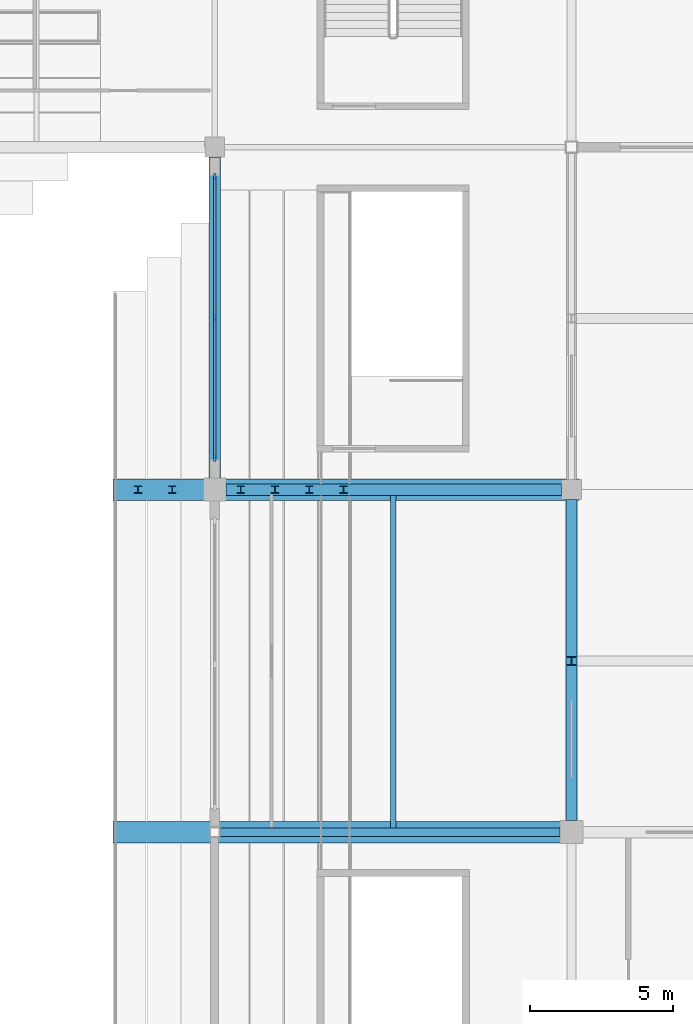
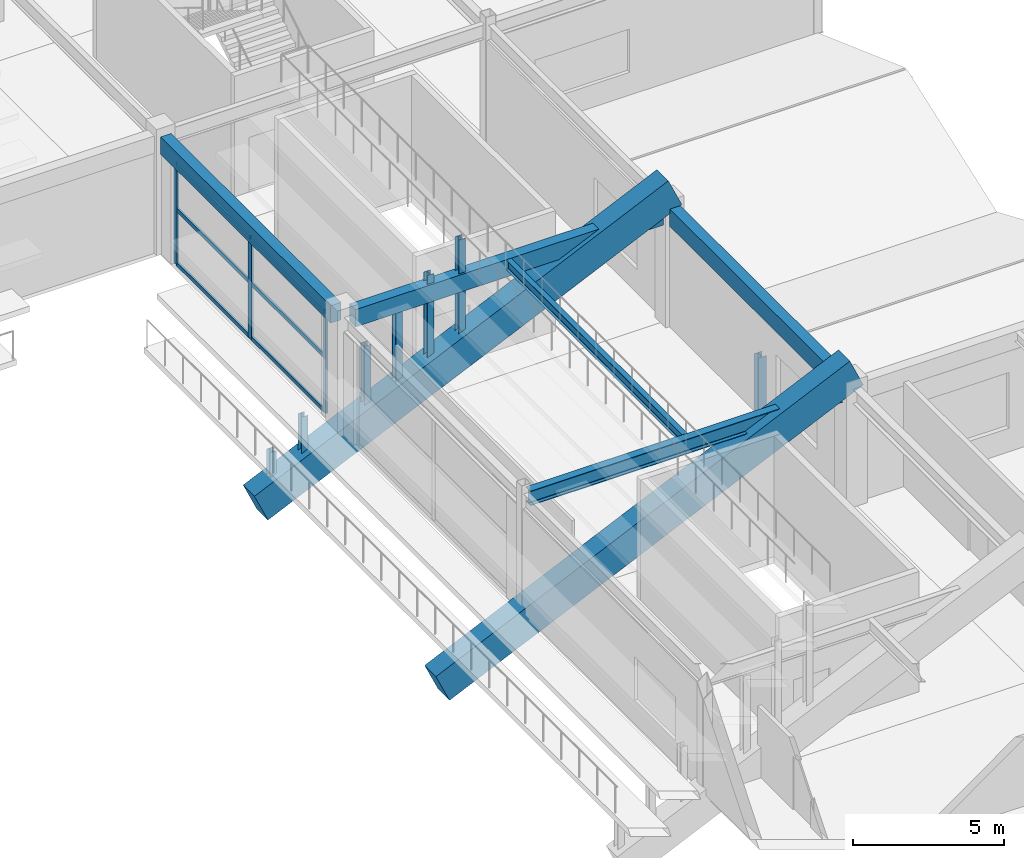
# One storey, part 58 of 128: 16 members, 7 beams, 1 element without a shape of its own.
"""IFC4 building model written with IfcOpenShell, lengths in metres."""

from ifc_helpers import new_model, si_unit, direction, frame, origin, origin_2d, place, context, subcontext, project, spatial, rectangle, i_section, extrude, material, layer, layer_set, material_profile, profile_set, type_object, element, aggregate, save


model = new_model("IFC4")

# Units and contexts
model_context = context("Model", 3, precision=1e-05, world=origin(), true_north=direction((0.0, 1.0)))
body_context = subcontext(model_context, "Body", "Model", "MODEL_VIEW")
ifc_project = project(units=[si_unit("LENGTHUNIT", "METRE"), si_unit("AREAUNIT", "SQUARE_METRE"), si_unit("VOLUMEUNIT", "CUBIC_METRE"), si_unit("PLANEANGLEUNIT", "RADIAN"), si_unit("MASSUNIT", "GRAM", prefix="KILO")], contexts=[model_context])

# Site, building, storey
site_placement = place(None, origin())
site = spatial("IfcSite", under=ifc_project, at=site_placement, CompositionType="ELEMENT")
building_placement = place(site_placement, origin())
building = spatial("IfcBuilding", under=site, at=building_placement, Name="Kazenohara Klinker Stadium", CompositionType="ELEMENT")
storey_placement = place(building_placement, frame((0.0, 0.0, 15.300048828125)))
storey = spatial("IfcBuildingStorey", under=building, at=storey_placement, Name="L03", CompositionType="ELEMENT", Elevation=15.300048828125)

# Beams
ifc_material_1 = material(Name="Steel S355", Category="steel")
ifc_material_profile_1 = material_profile(ifc_material_1, i_section(OverallWidth=0.199951171875, OverallDepth=0.39990234375, WebThickness=0.008056640625, FlangeThickness=0.012939453125, FilletRadius=0.012939453125, at=origin_2d()), Name="H-400x200x8x13")
ifc_profile_set_1 = profile_set([ifc_material_profile_1], Name="Steel S355")
beam_type_1 = type_object("IfcBeamType", Name="BM-JST03", PredefinedType="JOIST", material=ifc_profile_set_1)
beam_1_placement = place(storey_placement, frame((181.25, 108.14990234375, 4.56005859375), z_axis=(0.0, 1.0, 0.0), x_axis=(-1.0, 0.0, 0.0)))
element("IfcBeam", 1, at=beam_1_placement, inside=storey, type_object=beam_type_1, Name="Secondary floor joist SJ03 L03 15/K", PredefinedType="JOIST", context=body_context, shape_type="SweptSolid", body=[
    extrude(i_section(OverallWidth=0.199951171875, OverallDepth=0.39990234375, WebThickness=0.008056640625, FlangeThickness=0.012939453125, FilletRadius=0.012939453125, at=origin_2d()), origin(), (0.0, 0.0, 1.0), 11.650146484375),
])
ifc_material_2 = material(Name="Concrete C40/50", Category="concrete")
ifc_material_profile_2 = material_profile(ifc_material_2, rectangle(XDim=0.39990234375, YDim=0.699951171875, at=origin_2d()), Name="RC-BM-400x700")
ifc_profile_set_2 = profile_set([ifc_material_profile_2], Name="Concrete C40/50")
beam_type_2 = type_object("IfcBeamType", Name="BM-RC04", PredefinedType="BEAM", material=ifc_profile_set_2)
beam_2_placement = place(storey_placement, frame((175.39990234375, 120.0, 4.409912109375), z_axis=(1.0, 0.0, 0.0), x_axis=(0.0, 1.0, 0.0)))
element("IfcBeam", 2, at=beam_2_placement, inside=storey, type_object=beam_type_2, Name="Primary girder BG04 L03 15-16/L", PredefinedType="BEAM", context=body_context, shape_type="SweptSolid", body=[
    extrude(rectangle(XDim=0.39990234375, YDim=0.699951171875, at=origin_2d()), origin(), (0.0, 0.0, 1.0), 11.75),
])
for number, where, z_axis, x_axis, name in (
    (3, (175.0, 120.39990234375, 4.409912109375), (0.0, 1.0, 0.0), (-1.0, 0.0, 0.0), "Primary girder BG04 L03 15/L-M"),
    (4, (187.5, 108.39990234375, 4.409912109375), (0.0, 1.0, 0.0), (-1.0, 0.0, 0.0), "Primary girder BG04 L03 16/K-L"),
):
    element("IfcBeam", number, at=place(storey_placement, frame(where, z_axis=z_axis, x_axis=x_axis)), inside=storey, type_object=beam_type_2, Name=name, PredefinedType="BEAM", context=body_context, shape_type="SweptSolid", body=[
        extrude(rectangle(XDim=0.39990234375, YDim=0.699951171875, at=origin_2d()), origin(), (0.0, 0.0, 1.0), 11.25),
    ])
ifc_material_profile_3 = material_profile(ifc_material_1, i_section(OverallWidth=0.300048828125, OverallDepth=0.587890625, WebThickness=0.011962890625, FlangeThickness=0.02001953125, FilletRadius=0.02197265625, at=origin_2d()), Name="H-588x300x12x20")
ifc_profile_set_3 = profile_set([ifc_material_profile_3], Name="Steel S355")
beam_type_3 = type_object("IfcBeamType", Name="BM-ST05", PredefinedType="BEAM", material=ifc_profile_set_3)
beam_3_placement = place(storey_placement, frame((175.175048828125, 108.0, 4.466064453125), z_axis=(1.0, 0.0, 0.0), x_axis=(0.0, 1.0, 0.0)))
element("IfcBeam", 5, at=beam_3_placement, inside=storey, type_object=beam_type_3, Name="Primary girder SB05 L03 15-16/K", PredefinedType="BEAM", context=body_context, shape_type="SweptSolid", body=[
    extrude(i_section(OverallWidth=0.300048828125, OverallDepth=0.587890625, WebThickness=0.011962890625, FlangeThickness=0.02001953125, FilletRadius=0.02197265625, at=origin_2d()), origin(), (0.0, 0.0, 1.0), 11.925048828125),
])

# Curtain wall, members
ifc_material_3 = material(Name="Anodised aluminium and triple glazing", Category="aluminium")
ifc_layer = layer(ifc_material_3, 0.179931640625)
ifc_layer_set = layer_set([ifc_layer], Name="Anodised aluminium and triple glazing")
curtain_wall_type = type_object("IfcCurtainWallType", Name="CW-SYS-02", PredefinedType="USERDEFINED", material=ifc_layer_set)
curtain_wall_placement = place(storey_placement, origin())
curtain_wall = element("IfcCurtainWall", 6, at=curtain_wall_placement, inside=storey, type_object=curtain_wall_type, Name="Unitised facade curtain wall CW02 L03 Y14-10", ObjectType="UNITISED CURTAIN WALL", PredefinedType="USERDEFINED")
ifc_material_4 = material(Name="Anodised aluminium 6063-T6", Category="aluminium")
ifc_material_profile_4 = material_profile(ifc_material_4, rectangle(XDim=0.074951171875, YDim=0.219970703125, at=origin_2d()), Name="ALU-MUL-75x220")
ifc_profile_set_4 = profile_set([ifc_material_profile_4], Name="Anodised aluminium 6063-T6")
member_type_1 = type_object("IfcMemberType", Name="CW-MUL-220", PredefinedType="MULLION", material=ifc_profile_set_4)
member_1_placement = place(storey_placement, frame((175.0, 121.091552734375, 0.0), z_axis=(0.0, 0.0, 1.0), x_axis=(-1.0, 0.0, 0.0)))
member_1 = element("IfcMember", 7, at=member_1_placement, type_object=member_type_1, Name="CW02 mullion 1", PredefinedType="MULLION", context=body_context, shape_type="SweptSolid", body=[
    extrude(rectangle(XDim=0.074951171875, YDim=0.219970703125, at=origin_2d()), origin(), (0.0, 0.0, 1.0), 4.06005859375),
])
member_2_placement = place(storey_placement, frame((175.0, 126.02490234375, 0.0), z_axis=(0.0, 0.0, 1.0), x_axis=(-1.0, 0.0, 0.0)))
member_2 = element("IfcMember", 8, at=member_2_placement, type_object=member_type_1, Name="CW02 mullion 2", PredefinedType="MULLION", context=body_context, shape_type="SweptSolid", body=[
    extrude(rectangle(XDim=0.074951171875, YDim=0.219970703125, at=origin_2d()), origin(), (0.0, 0.0, 1.0), 4.06005859375),
])
member_3_placement = place(storey_placement, frame((175.0, 130.95849609375, 0.0), z_axis=(0.0, 0.0, 1.0), x_axis=(-1.0, 0.0, 0.0)))
member_3 = element("IfcMember", 9, at=member_3_placement, type_object=member_type_1, Name="CW02 mullion 3", PredefinedType="MULLION", context=body_context, shape_type="SweptSolid", body=[
    extrude(rectangle(XDim=0.074951171875, YDim=0.219970703125, at=origin_2d()), origin(), (0.0, 0.0, 1.0), 4.06005859375),
])
ifc_material_profile_5 = material_profile(ifc_material_4, rectangle(XDim=0.074951171875, YDim=0.159912109375, at=origin_2d()), Name="ALU-TRN-75x160")
ifc_profile_set_5 = profile_set([ifc_material_profile_5], Name="Anodised aluminium 6063-T6")
member_type_2 = type_object("IfcMemberType", Name="CW-TRN-160", PredefinedType="USERDEFINED", material=ifc_profile_set_5)
member_4_placement = place(storey_placement, frame((175.0, 121.12890625, 0.037353515625), z_axis=(0.0, 1.0, 0.0), x_axis=(-1.0, 0.0, 0.0)))
member_4 = element("IfcMember", 10, at=member_4_placement, type_object=member_type_2, Name="CW02 transom 1.1", ObjectType="TRANSOM", PredefinedType="USERDEFINED", context=body_context, shape_type="SweptSolid", body=[
    extrude(rectangle(XDim=0.074951171875, YDim=0.159912109375, at=origin_2d()), origin(), (0.0, 0.0, 1.0), 4.858642578125),
])
member_5_placement = place(storey_placement, frame((175.0, 121.12890625, 2.23291015625), z_axis=(0.0, 1.0, 0.0), x_axis=(-1.0, 0.0, 0.0)))
member_5 = element("IfcMember", 11, at=member_5_placement, type_object=member_type_2, Name="CW02 transom 1.2", ObjectType="TRANSOM", PredefinedType="USERDEFINED", context=body_context, shape_type="SweptSolid", body=[
    extrude(rectangle(XDim=0.074951171875, YDim=0.159912109375, at=origin_2d()), origin(), (0.0, 0.0, 1.0), 4.858642578125),
])
member_6_placement = place(storey_placement, frame((175.0, 121.12890625, 4.0224609375), z_axis=(0.0, 1.0, 0.0), x_axis=(-1.0, 0.0, 0.0)))
member_6 = element("IfcMember", 12, at=member_6_placement, type_object=member_type_2, Name="CW02 transom 1.3", ObjectType="TRANSOM", PredefinedType="USERDEFINED", context=body_context, shape_type="SweptSolid", body=[
    extrude(rectangle(XDim=0.074951171875, YDim=0.159912109375, at=origin_2d()), origin(), (0.0, 0.0, 1.0), 4.858642578125),
])
member_7_placement = place(storey_placement, frame((175.0, 126.0625, 0.037353515625), z_axis=(0.0, 1.0, 0.0), x_axis=(-1.0, 0.0, 0.0)))
member_7 = element("IfcMember", 13, at=member_7_placement, type_object=member_type_2, Name="CW02 transom 2.1", ObjectType="TRANSOM", PredefinedType="USERDEFINED", context=body_context, shape_type="SweptSolid", body=[
    extrude(rectangle(XDim=0.074951171875, YDim=0.159912109375, at=origin_2d()), origin(), (0.0, 0.0, 1.0), 4.8583984375),
])
member_8_placement = place(storey_placement, frame((175.0, 126.0625, 2.23291015625), z_axis=(0.0, 1.0, 0.0), x_axis=(-1.0, 0.0, 0.0)))
member_8 = element("IfcMember", 14, at=member_8_placement, type_object=member_type_2, Name="CW02 transom 2.2", ObjectType="TRANSOM", PredefinedType="USERDEFINED", context=body_context, shape_type="SweptSolid", body=[
    extrude(rectangle(XDim=0.074951171875, YDim=0.159912109375, at=origin_2d()), origin(), (0.0, 0.0, 1.0), 4.8583984375),
])
member_9_placement = place(storey_placement, frame((175.0, 126.0625, 4.0224609375), z_axis=(0.0, 1.0, 0.0), x_axis=(-1.0, 0.0, 0.0)))
member_9 = element("IfcMember", 15, at=member_9_placement, type_object=member_type_2, Name="CW02 transom 2.3", ObjectType="TRANSOM", PredefinedType="USERDEFINED", context=body_context, shape_type="SweptSolid", body=[
    extrude(rectangle(XDim=0.074951171875, YDim=0.159912109375, at=origin_2d()), origin(), (0.0, 0.0, 1.0), 4.8583984375),
])
aggregate(curtain_wall, [member_1, member_2, member_3, member_4, member_5, member_6, member_7, member_8, member_9])

# Members
ifc_material_profile_6 = material_profile(ifc_material_1, i_section(OverallWidth=0.300048828125, OverallDepth=0.300048828125, WebThickness=0.010009765625, FlangeThickness=0.014892578125, FilletRadius=0.012939453125, at=origin_2d()), Name="H-300x300x10x15")
ifc_profile_set_6 = profile_set([ifc_material_profile_6], Name="Steel S355")
member_type_3 = type_object("IfcMemberType", Name="MEM-STR01", PredefinedType="STRUT", material=ifc_profile_set_6)
member_10_placement = place(storey_placement, frame((187.5, 114.0, -0.429931640625), z_axis=(0.0, 0.0, 1.0), x_axis=(1.0, 0.0, 0.0)))
element("IfcMember", 16, at=member_10_placement, inside=storey, type_object=member_type_3, Name="Stepped pavilion gable king-post L03 16/K W", PredefinedType="STRUT", context=body_context, shape_type="SweptSolid", body=[
    extrude(i_section(OverallWidth=0.300048828125, OverallDepth=0.300048828125, WebThickness=0.010009765625, FlangeThickness=0.014892578125, FilletRadius=0.012939453125, at=origin_2d()), origin(), (0.0, 0.0, 1.0), 2.659912109375),
])
ifc_material_profile_7 = material_profile(ifc_material_1, i_section(OverallWidth=0.25, OverallDepth=0.25, WebThickness=0.009033203125, FlangeThickness=0.013916015625, FilletRadius=0.012939453125, at=origin_2d()), Name="H-250x250x9x14")
ifc_profile_set_7 = profile_set([ifc_material_profile_7], Name="Steel S355")
member_type_4 = type_object("IfcMemberType", Name="MEM-STR02", PredefinedType="STRUT", material=ifc_profile_set_7)
member_11_placement = place(storey_placement, frame((179.510009765625, 120.0, 2.04541015625), z_axis=(0.0, 0.0, 1.0), x_axis=(1.0, 0.0, 0.0)))
element("IfcMember", 17, at=member_11_placement, inside=storey, type_object=member_type_4, Name="Precast tier riser stool UPPER-E-01-10", PredefinedType="STRUT", context=body_context, shape_type="SweptSolid", body=[
    extrude(i_section(OverallWidth=0.25, OverallDepth=0.25, WebThickness=0.009033203125, FlangeThickness=0.013916015625, FilletRadius=0.012939453125, at=origin_2d()), origin(), (0.0, 0.0, 1.0), 4.074462890625),
])
member_12_placement = place(storey_placement, frame((178.31005859375, 120.0, 1.49853515625), z_axis=(0.0, 0.0, 1.0), x_axis=(1.0, 0.0, 0.0)))
element("IfcMember", 18, at=member_12_placement, inside=storey, type_object=member_type_4, Name="Precast tier riser stool UPPER-E-02-10", PredefinedType="STRUT", context=body_context, shape_type="SweptSolid", body=[
    extrude(i_section(OverallWidth=0.25, OverallDepth=0.25, WebThickness=0.009033203125, FlangeThickness=0.013916015625, FilletRadius=0.012939453125, at=origin_2d()), origin(), (0.0, 0.0, 1.0), 3.613037109375),
])
member_13_placement = place(storey_placement, frame((177.110107421875, 120.0, 0.95166015625), z_axis=(0.0, 0.0, 1.0), x_axis=(1.0, 0.0, 0.0)))
element("IfcMember", 19, at=member_13_placement, inside=storey, type_object=member_type_4, Name="Precast tier riser stool UPPER-E-03-10", PredefinedType="STRUT", context=body_context, shape_type="SweptSolid", body=[
    extrude(i_section(OverallWidth=0.25, OverallDepth=0.25, WebThickness=0.009033203125, FlangeThickness=0.013916015625, FilletRadius=0.012939453125, at=origin_2d()), origin(), (0.0, 0.0, 1.0), 3.151611328125),
])
member_14_placement = place(storey_placement, frame((175.909912109375, 120.0, 0.40478515625), z_axis=(0.0, 0.0, 1.0), x_axis=(1.0, 0.0, 0.0)))
element("IfcMember", 20, at=member_14_placement, inside=storey, type_object=member_type_4, Name="Precast tier riser stool UPPER-E-04-10", PredefinedType="STRUT", context=body_context, shape_type="SweptSolid", body=[
    extrude(i_section(OverallWidth=0.25, OverallDepth=0.25, WebThickness=0.009033203125, FlangeThickness=0.013916015625, FilletRadius=0.012939453125, at=origin_2d()), origin(), (0.0, 0.0, 1.0), 2.690185546875),
])
member_15_placement = place(storey_placement, frame((173.510009765625, 120.0, -0.68896484375), z_axis=(0.0, 0.0, 1.0), x_axis=(1.0, 0.0, 0.0)))
element("IfcMember", 21, at=member_15_placement, inside=storey, type_object=member_type_4, Name="Precast tier riser stool UPPER-E-06-10", PredefinedType="STRUT", context=body_context, shape_type="SweptSolid", body=[
    extrude(i_section(OverallWidth=0.25, OverallDepth=0.25, WebThickness=0.009033203125, FlangeThickness=0.013916015625, FilletRadius=0.012939453125, at=origin_2d()), origin(), (0.0, 0.0, 1.0), 1.767333984375),
])
member_16_placement = place(storey_placement, frame((172.31005859375, 120.0, -1.235595703125), z_axis=(0.0, 0.0, 1.0), x_axis=(1.0, 0.0, 0.0)))
element("IfcMember", 22, at=member_16_placement, inside=storey, type_object=member_type_4, Name="Precast tier riser stool UPPER-E-07-10", PredefinedType="STRUT", context=body_context, shape_type="SweptSolid", body=[
    extrude(i_section(OverallWidth=0.25, OverallDepth=0.25, WebThickness=0.009033203125, FlangeThickness=0.013916015625, FilletRadius=0.012939453125, at=origin_2d()), origin(), (0.0, 0.0, 1.0), 1.3056640625),
])

# Beams
ifc_material_5 = material(Name="Precast concrete C50/60", Category="concrete")
ifc_material_profile_8 = material_profile(ifc_material_5, rectangle(XDim=0.75, YDim=1.25, at=origin_2d()), Name="PC-RAKER-750x1250")
ifc_profile_set_8 = profile_set([ifc_material_profile_8], Name="Precast concrete C50/60")
beam_type_4 = type_object("IfcBeamType", Name="RAKER-RK02", PredefinedType="USERDEFINED", material=ifc_profile_set_8)
for number, where, z_axis, x_axis, name in (
    (23, (187.5, 108.0, 5.351318359375), (-0.909973134945, 0.0, -0.414667208348), (0.0, -1.0, 0.0), "Precast bowl raker girder RK02 UPPER East K"),
    (24, (187.5, 120.0, 5.351318359375), (-0.909973134945, 0.0, -0.414667208348), (0.0, -1.0, 0.0), "Precast bowl raker girder RK02 UPPER East L"),
):
    element("IfcBeam", number, at=place(storey_placement, frame(where, z_axis=z_axis, x_axis=x_axis)), inside=storey, type_object=beam_type_4, Name=name, ObjectType="RAKER", PredefinedType="USERDEFINED", context=body_context, shape_type="SweptSolid", body=[
        extrude(rectangle(XDim=0.75, YDim=1.25, at=origin_2d()), origin(), (0.0, 0.0, 1.0), 17.36328125),
    ])

save(model, "model.ifc")
